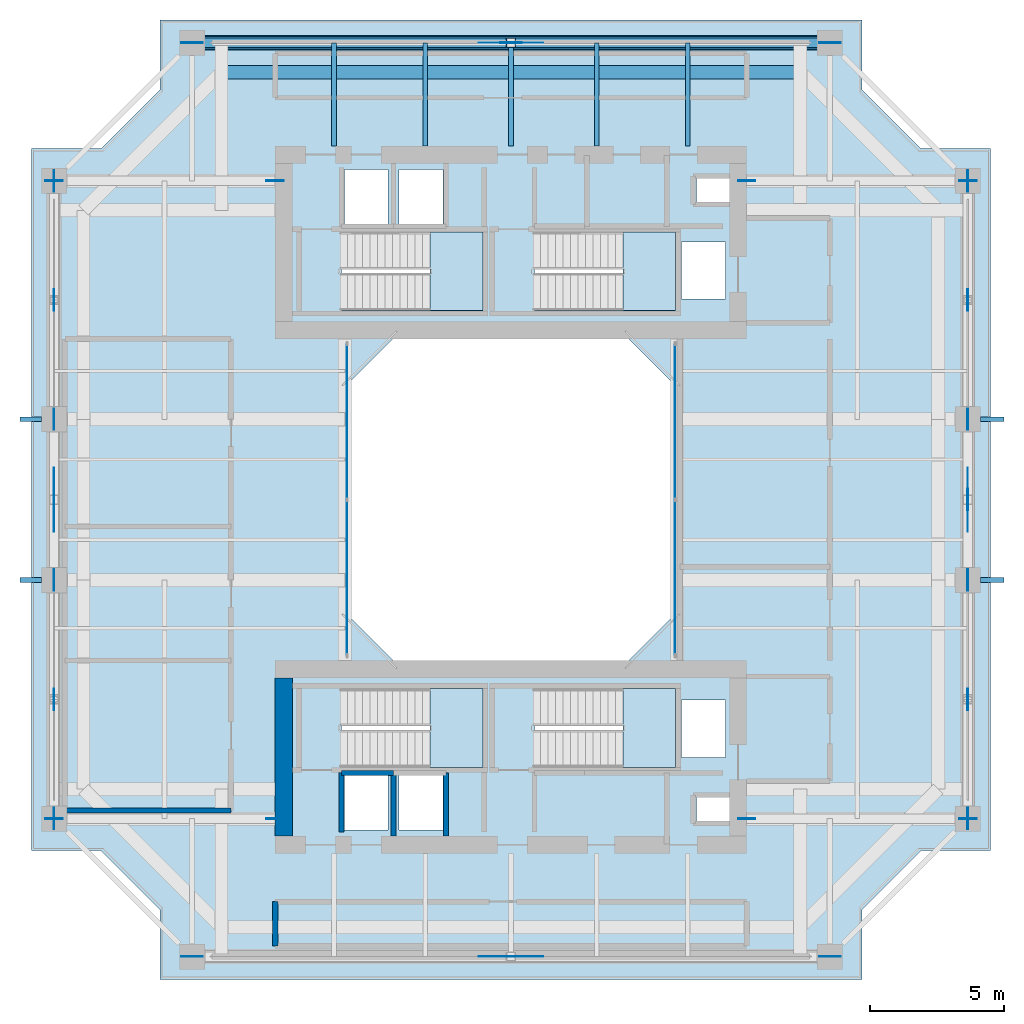
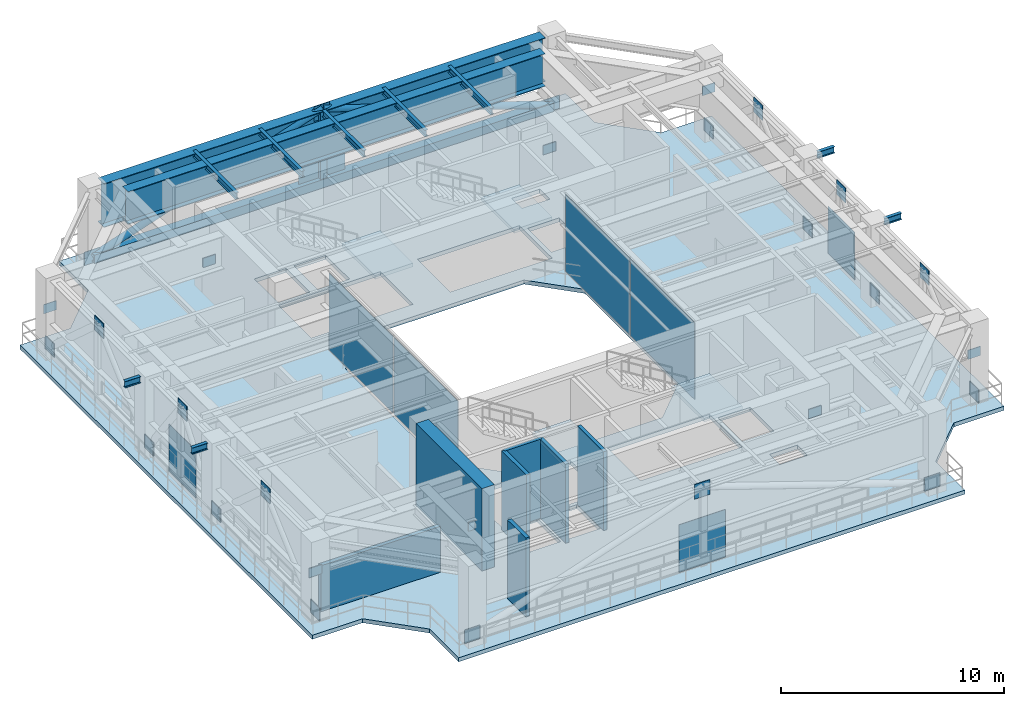
# One storey, part 5 of 11: 36 plates, 11 beams, 7 walls, 5 slabs, 4 members, 6 elements without a shape of their own.
"""IFC4 building model written with IfcOpenShell, lengths in metres."""

from ifc_helpers import new_model, si_unit, direction, frame, frame_2d, origin, origin_2d, place, context, subcontext, project, spatial, polyline, rectangle, hollow_rectangle, hollow_circle, i_section, outline, extrude, source, transform, mapped, material, layer, layer_set, material_profile, profile_set, type_object, element, aggregate, save


model = new_model("IFC4")

# Units and contexts
model_context = context("Model", 3, precision=1e-05, world=origin(), true_north=direction((0.0, 1.0)))
body_context = subcontext(model_context, "Body", "Model", "MODEL_VIEW")
ifc_project = project(units=[si_unit("LENGTHUNIT", "METRE"), si_unit("AREAUNIT", "SQUARE_METRE"), si_unit("VOLUMEUNIT", "CUBIC_METRE"), si_unit("PLANEANGLEUNIT", "RADIAN"), si_unit("MASSUNIT", "GRAM", prefix="KILO"), si_unit("THERMODYNAMICTEMPERATUREUNIT", "KELVIN"), si_unit("POWERUNIT", "WATT")], contexts=[model_context])

# Site, building, storey
site_placement = place(None, origin())
site = spatial("IfcSite", under=ifc_project, at=site_placement, CompositionType="ELEMENT")
building_placement = place(site_placement, origin())
building = spatial("IfcBuilding", under=site, at=building_placement, Name="Qiaomeng Ring Towers", CompositionType="ELEMENT")
storey_placement = place(building_placement, frame((0.0, 0.0, 186.0)))
storey = spatial("IfcBuildingStorey", under=building, at=storey_placement, Name="L54", CompositionType="ELEMENT", Elevation=186.0)

# Member
ifc_material_1 = material(Name="Steel Q390GJC", Category="steel")
ifc_material_profile_1 = material_profile(ifc_material_1, hollow_rectangle(XDim=0.35009765625, YDim=0.35009765625, WallThickness=0.02001953125, at=origin_2d()), Name="SHS 350x350x20")
ifc_profile_set_1 = profile_set([ifc_material_profile_1], Name="Steel Q390GJC")
member_type_1 = type_object("IfcMemberType", Name="STR-MB-POST-350", PredefinedType="POST", material=ifc_profile_set_1)
shared_shape_1 = source(origin(), body_context, "Body", "SweptSolid", [
    extrude(hollow_rectangle(XDim=0.35009765625, YDim=0.35009765625, WallThickness=0.02001953125, at=origin_2d()), origin(), (0.0, 0.0, 1.0), 4.0),
])
member_1_placement = place(storey_placement, frame((19.0, 40.050048828125, 0.320068359375), z_axis=(0.0, 0.0, 1.0), x_axis=(1.0, 0.0, 0.0)))
element("IfcMember", 1, at=member_1_placement, inside=storey, type_object=member_type_1, Name="L54 Belt Truss Post N2-N1", PredefinedType="POST", context=body_context, shape_type="MappedRepresentation", body=[
    mapped(shared_shape_1, transform((0.0, 0.0, 0.0), x_axis=(1.0, 0.0, 0.0), y_axis=(0.0, 1.0, 0.0), z_axis=(0.0, 0.0, 1.0), scale=1.0)),
])

# Beams
ifc_material_2 = material(Name="Steel Q355B", Category="steel")
ifc_material_profile_2 = material_profile(ifc_material_2, i_section(OverallWidth=0.175048828125, OverallDepth=0.35009765625, WebThickness=0.007080078125, FlangeThickness=0.010986328125, FilletRadius=0.013916015625, at=origin_2d()), Name="HN 350x175x7x11")
ifc_profile_set_2 = profile_set([ifc_material_profile_2], Name="Steel Q355B")
beam_type_1 = type_object("IfcBeamType", Name="STR-BM-HN350", PredefinedType="JOIST", material=ifc_profile_set_2)
shared_shape_2 = source(origin(), body_context, "Body", "SweptSolid", [
    extrude(i_section(OverallWidth=0.175048828125, OverallDepth=0.35009765625, WebThickness=0.007080078125, FlangeThickness=0.010986328125, FilletRadius=0.013916015625, at=origin_2d()), origin(), (0.0, 0.0, 1.0), 3.85009765625),
])
for number, where, z_axis, x_axis, name in (
    (2, (12.39990234375, 36.199951171875, 4.14501953125), (0.0, 1.0, 0.0), (-1.0, 0.0, 0.0), "L54 beam STR-JST-L54-T1N-1"),
    (3, (15.800048828125, 36.199951171875, 4.14501953125), (0.0, 1.0, 0.0), (-1.0, 0.0, 0.0), "L54 beam STR-JST-L54-T1N-2"),
    (4, (19.0, 36.199951171875, 4.14501953125), (0.0, 1.0, 0.0), (-1.0, 0.0, 0.0), "L54 beam STR-JST-L54-T1N-3"),
    (5, (22.199951171875, 36.199951171875, 4.14501953125), (0.0, 1.0, 0.0), (-1.0, 0.0, 0.0), "L54 beam STR-JST-L54-T1N-4"),
    (6, (25.60009765625, 36.199951171875, 4.14501953125), (0.0, 1.0, 0.0), (-1.0, 0.0, 0.0), "L54 beam STR-JST-L54-T1N-5"),
):
    element("IfcBeam", number, at=place(storey_placement, frame(where, z_axis=z_axis, x_axis=x_axis)), inside=storey, type_object=beam_type_1, Name=name, PredefinedType="JOIST", context=body_context, shape_type="MappedRepresentation", body=[
        mapped(shared_shape_2, transform((0.0, 0.0, 0.0), x_axis=(1.0, 0.0, 0.0), y_axis=(0.0, 1.0, 0.0), z_axis=(0.0, 0.0, 1.0), scale=1.0)),
    ])

# Members
ifc_material_profile_3 = material_profile(ifc_material_1, hollow_circle(Radius=0.177978515625, WallThickness=0.02001953125, at=origin_2d()), Name="CHS 356x20")
ifc_profile_set_3 = profile_set([ifc_material_profile_3], Name="Steel Q390GJC")
member_type_2 = type_object("IfcMemberType", Name="STR-MB-BR-356", PredefinedType="BRACE", material=ifc_profile_set_3)
shared_shape_3 = source(origin(), body_context, "Body", "SweptSolid", [
    extrude(hollow_circle(Radius=0.177978515625, WallThickness=0.02001953125, at=origin_2d()), origin(), (0.0, 0.0, 1.0), 12.5478515625),
])
for number, where, z_axis, x_axis, name in (
    (7, (30.89990234375, 40.050048828125, 0.320068359375), (-0.948363723431, 0.0, 0.317184879967), (0.0, -1.0, 0.0), "L54 Belt Truss Diagonal N2-M"),
    (8, (7.10009765625, 40.050048828125, 0.320068359375), (0.948363723431, 0.0, 0.317184879967), (0.0, 1.0, 0.0), "L54 Belt Truss Diagonal N1-M"),
):
    element("IfcMember", number, at=place(storey_placement, frame(where, z_axis=z_axis, x_axis=x_axis)), inside=storey, type_object=member_type_2, Name=name, PredefinedType="BRACE", context=body_context, shape_type="MappedRepresentation", body=[
        mapped(shared_shape_3, transform((0.0, 0.0, 0.0), x_axis=(1.0, 0.0, 0.0), y_axis=(0.0, 1.0, 0.0), z_axis=(0.0, 0.0, 1.0), scale=1.0)),
    ])

# Beams
ifc_material_profile_4 = material_profile(ifc_material_1, i_section(OverallWidth=0.550048828125, OverallDepth=2.39990234375, WebThickness=0.02587890625, FlangeThickness=0.035888671875, at=origin_2d()), Name="WH 2400x550x26x36")
ifc_profile_set_4 = profile_set([ifc_material_profile_4], Name="Steel Q390GJC")
beam_type_2 = type_object("IfcBeamType", Name="STR-TG-WH2400", PredefinedType="USERDEFINED", material=ifc_profile_set_4)
shared_shape_4 = source(origin(), body_context, "Body", "SweptSolid", [
    extrude(i_section(OverallWidth=0.550048828125, OverallDepth=2.39990234375, WebThickness=0.02587890625, FlangeThickness=0.035888671875, at=origin_2d()), origin(), (0.0, 0.0, 1.0), 22.85205078125),
])
beam_1_placement = place(storey_placement, frame((7.573974609375, 40.050048828125, 3.1201171875), z_axis=(1.0, 0.0, 0.0), x_axis=(0.0, 1.0, 0.0)))
element("IfcBeam", 9, at=beam_1_placement, inside=storey, type_object=beam_type_2, Name="L54 Transfer Girder STR-TG2-L54-OUT-N", ObjectType="TRANSFER GIRDER", PredefinedType="USERDEFINED", context=body_context, shape_type="MappedRepresentation", body=[
    mapped(shared_shape_4, transform((0.0, 0.0, 0.0), x_axis=(1.0, 0.0, 0.0), y_axis=(0.0, 1.0, 0.0), z_axis=(0.0, 0.0, 1.0), scale=1.0)),
])
ifc_material_profile_5 = material_profile(ifc_material_1, i_section(OverallWidth=0.5, OverallDepth=1.800048828125, WebThickness=0.02392578125, FlangeThickness=0.035888671875, at=origin_2d()), Name="WH 1800x500x24x36")
ifc_profile_set_5 = profile_set([ifc_material_profile_5], Name="Steel Q390GJC")
beam_type_3 = type_object("IfcBeamType", Name="STR-TG-WH1800", PredefinedType="USERDEFINED", material=ifc_profile_set_5)
shared_shape_5 = source(origin(), body_context, "Body", "SweptSolid", [
    extrude(i_section(OverallWidth=0.5, OverallDepth=1.800048828125, WebThickness=0.02392578125, FlangeThickness=0.035888671875, at=origin_2d()), origin(), (0.0, 0.0, 1.0), 21.60009765625),
])
beam_2_placement = place(storey_placement, frame((29.800048828125, 38.949951171875, 3.419921875), z_axis=(-1.0, 0.0, 0.0), x_axis=(0.0, -1.0, 0.0)))
element("IfcBeam", 10, at=beam_2_placement, inside=storey, type_object=beam_type_3, Name="L54 Transfer Girder STR-TG3-L54-N2-N1", ObjectType="TRANSFER GIRDER", PredefinedType="USERDEFINED", context=body_context, shape_type="MappedRepresentation", body=[
    mapped(shared_shape_5, transform((0.0, 0.0, 0.0), x_axis=(1.0, 0.0, 0.0), y_axis=(0.0, 1.0, 0.0), z_axis=(0.0, 0.0, 1.0), scale=1.0)),
])
shared_shape_6 = source(origin(), body_context, "Body", "SweptSolid", [
    extrude(i_section(OverallWidth=0.175048828125, OverallDepth=0.35009765625, WebThickness=0.007080078125, FlangeThickness=0.010986328125, FilletRadius=0.013916015625, at=origin_2d()), origin(), (0.0, 0.0, 1.0), 0.8759765625),
])
for number, where, z_axis, x_axis, name in (
    (11, (36.52392578125, 20.0, 4.14501953125), (1.0, 0.0, 0.0), (0.0, 1.0, 0.0), "L54 beam STR-BALBM-L54-E2"),
    (12, (36.52392578125, 26.0, 4.14501953125), (1.0, 0.0, 0.0), (0.0, 1.0, 0.0), "L54 beam STR-BALBM-L54-E3"),
):
    element("IfcBeam", number, at=place(storey_placement, frame(where, z_axis=z_axis, x_axis=x_axis)), inside=storey, type_object=beam_type_1, Name=name, PredefinedType="JOIST", context=body_context, shape_type="MappedRepresentation", body=[
        mapped(shared_shape_6, transform((0.0, 0.0, 0.0), x_axis=(1.0, 0.0, 0.0), y_axis=(0.0, 1.0, 0.0), z_axis=(0.0, 0.0, 1.0), scale=1.0)),
    ])
shared_shape_7 = source(origin(), body_context, "Body", "SweptSolid", [
    extrude(i_section(OverallWidth=0.175048828125, OverallDepth=0.35009765625, WebThickness=0.007080078125, FlangeThickness=0.010986328125, FilletRadius=0.013916015625, at=origin_2d()), origin(), (0.0, 0.0, 1.0), 0.796142578125),
])
for number, where, z_axis, x_axis, name in (
    (13, (0.679931640625, 20.0, 4.14501953125), (1.0, 0.0, 0.0), (0.0, 1.0, 0.0), "L54 beam STR-BALBM-L54-W2"),
    (14, (0.679931640625, 26.0, 4.14501953125), (1.0, 0.0, 0.0), (0.0, 1.0, 0.0), "L54 beam STR-BALBM-L54-W3"),
):
    element("IfcBeam", number, at=place(storey_placement, frame(where, z_axis=z_axis, x_axis=x_axis)), inside=storey, type_object=beam_type_1, Name=name, PredefinedType="JOIST", context=body_context, shape_type="MappedRepresentation", body=[
        mapped(shared_shape_7, transform((0.0, 0.0, 0.0), x_axis=(1.0, 0.0, 0.0), y_axis=(0.0, 1.0, 0.0), z_axis=(0.0, 0.0, 1.0), scale=1.0)),
    ])

# Member
ifc_material_profile_6 = material_profile(ifc_material_1, hollow_rectangle(XDim=0.449951171875, YDim=0.449951171875, WallThickness=0.028076171875, at=origin_2d()), Name="SHS 450x450x28")
ifc_profile_set_6 = profile_set([ifc_material_profile_6], Name="Steel Q390GJC")
member_type_3 = type_object("IfcMemberType", Name="STR-MB-CHORD-450", PredefinedType="CHORD", material=ifc_profile_set_6)
shared_shape_8 = source(origin(), body_context, "Body", "SweptSolid", [
    extrude(hollow_rectangle(XDim=0.449951171875, YDim=0.449951171875, WallThickness=0.028076171875, at=origin_2d()), origin(), (0.0, 0.0, 1.0), 23.7998046875),
])
member_2_placement = place(storey_placement, frame((30.89990234375, 40.050048828125, 0.320068359375), z_axis=(-1.0, 0.0, 0.0), x_axis=(0.0, -1.0, 0.0)))
element("IfcMember", 15, at=member_2_placement, inside=storey, type_object=member_type_3, Name="L54 Belt Truss Bottom Chord N2-N1", PredefinedType="CHORD", context=body_context, shape_type="MappedRepresentation", body=[
    mapped(shared_shape_8, transform((0.0, 0.0, 0.0), x_axis=(1.0, 0.0, 0.0), y_axis=(0.0, 1.0, 0.0), z_axis=(0.0, 0.0, 1.0), scale=1.0)),
])

# Slab
ifc_material_3 = material(Name="Concrete C40", Category="concrete")
ifc_layer_1 = layer(ifc_material_3, 0.219970703125, Name="Concrete C40")
ifc_layer_set_1 = layer_set([ifc_layer_1], Name="Concrete C40")
slab_type_1 = type_object("IfcSlabType", Name="STR-SL-220", PredefinedType="FLOOR", material=ifc_layer_set_1)
slab_1_placement = place(storey_placement, frame((0.0, 0.0, -0.219970703125)))
element("IfcSlab", 16, at=slab_1_placement, inside=storey, type_object=slab_type_1, Name="L54 Tower 1 Annular Floor Slab", PredefinedType="FLOOR", context=body_context, shape_type="SweptSolid", body=[
    extrude(outline(polyline([(5.89990234375, 5.10009765625), (32.10009765625, 5.10009765625), (32.10009765625, 7.699951171875), (34.300048828125, 9.89990234375), (36.89990234375, 9.89990234375), (36.89990234375, 36.10009765625), (34.300048828125, 36.10009765625), (32.10009765625, 38.300048828125), (32.10009765625, 40.89990234375), (5.89990234375, 40.89990234375), (5.89990234375, 38.300048828125), (3.699951171875, 36.10009765625), (1.10009765625, 36.10009765625), (1.10009765625, 9.89990234375), (3.699951171875, 9.89990234375), (5.89990234375, 7.699951171875), (5.89990234375, 5.10009765625)]), holes=[polyline([(12.780029296875, 10.679931640625), (12.780029296875, 12.820068359375), (14.419921875, 12.820068359375), (14.419921875, 10.679931640625), (12.780029296875, 10.679931640625)]), polyline([(14.830078125, 12.820068359375), (16.469970703125, 12.820068359375), (16.469970703125, 10.679931640625), (14.830078125, 10.679931640625), (14.830078125, 12.820068359375)]), polyline([(12.679931640625, 15.949951171875), (17.949951171875, 15.949951171875), (17.949951171875, 13.010009765625), (12.679931640625, 13.010009765625), (12.679931640625, 15.949951171875)]), polyline([(23.199951171875, 29.199951171875), (25.199951171875, 27.199951171875), (25.199951171875, 18.800048828125), (23.199951171875, 16.800048828125), (14.800048828125, 16.800048828125), (12.800048828125, 18.800048828125), (12.800048828125, 27.199951171875), (14.800048828125, 29.199951171875), (23.199951171875, 29.199951171875)]), polyline([(12.679931640625, 32.989990234375), (17.949951171875, 32.989990234375), (17.949951171875, 30.050048828125), (12.679931640625, 30.050048828125), (12.679931640625, 32.989990234375)]), polyline([(12.780029296875, 35.320068359375), (14.419921875, 35.320068359375), (14.419921875, 33.179931640625), (12.780029296875, 33.179931640625), (12.780029296875, 35.320068359375)]), polyline([(14.830078125, 33.179931640625), (14.830078125, 35.320068359375), (16.469970703125, 35.320068359375), (16.469970703125, 33.179931640625), (14.830078125, 33.179931640625)]), polyline([(25.919921875, 11.89990234375), (27.360107421875, 11.89990234375), (27.360107421875, 11.0), (25.919921875, 11.0), (25.919921875, 11.89990234375)]), polyline([(25.360107421875, 15.52001953125), (27.0, 15.52001953125), (27.0, 13.3798828125), (25.360107421875, 13.3798828125), (25.360107421875, 15.52001953125)]), polyline([(19.8798828125, 15.949951171875), (25.14990234375, 15.949951171875), (25.14990234375, 13.010009765625), (19.8798828125, 13.010009765625), (19.8798828125, 15.949951171875)]), polyline([(19.8798828125, 32.989990234375), (25.14990234375, 32.989990234375), (25.14990234375, 30.050048828125), (19.8798828125, 30.050048828125), (19.8798828125, 32.989990234375)]), polyline([(25.360107421875, 32.6201171875), (27.0, 32.6201171875), (27.0, 30.47998046875), (25.360107421875, 30.47998046875), (25.360107421875, 32.6201171875)]), polyline([(25.919921875, 35.0), (27.360107421875, 35.0), (27.360107421875, 34.10009765625), (25.919921875, 34.10009765625), (25.919921875, 35.0)])]), origin(), (0.0, 0.0, 1.0), 0.219970703125),
])

# Stair, slab
ifc_material_4 = material(Name="Precast concrete C40", Category="concrete")
stair_type = type_object("IfcStairType", Name="ARC-ST-450", PredefinedType="HALF_TURN_STAIR", material=ifc_material_4)
stair_1_placement = place(storey_placement, origin())
stair_1 = element("IfcStair", 17, at=stair_1_placement, inside=storey, type_object=stair_type, Name="L54 Tower 1 North Stair 1", PredefinedType="HALF_TURN_STAIR")
ifc_layer_2 = layer(ifc_material_3, 0.199951171875, Name="Concrete C40")
ifc_layer_set_2 = layer_set([ifc_layer_2], Name="Concrete C40")
slab_type_2 = type_object("IfcSlabType", Name="STR-SL-LANDING", PredefinedType="LANDING", material=ifc_layer_set_2)
slab_2_placement = place(storey_placement, frame((0.0, 0.0, 2.050048828125)))
slab_2 = element("IfcSlab", 18, at=slab_2_placement, type_object=slab_type_2, Name="ST1 landing 1", PredefinedType="LANDING", context=body_context, shape_type="SweptSolid", body=[
    extrude(outline(polyline([(15.97998046875, 30.050048828125), (17.949951171875, 30.050048828125), (17.949951171875, 32.989990234375), (15.97998046875, 32.989990234375), (15.97998046875, 30.050048828125)])), origin(), (0.0, 0.0, 1.0), 0.199951171875),
])
aggregate(stair_1, [slab_2])

stair_2_placement = place(storey_placement, origin())
stair_2 = element("IfcStair", 19, at=stair_2_placement, inside=storey, type_object=stair_type, Name="L54 Tower 1 North Stair 2", PredefinedType="HALF_TURN_STAIR")
slab_3_placement = place(storey_placement, frame((0.0, 0.0, 2.050048828125)))
slab_3 = element("IfcSlab", 20, at=slab_3_placement, type_object=slab_type_2, Name="ST2 landing 1", PredefinedType="LANDING", context=body_context, shape_type="SweptSolid", body=[
    extrude(outline(polyline([(23.179931640625, 30.050048828125), (25.14990234375, 30.050048828125), (25.14990234375, 32.989990234375), (23.179931640625, 32.989990234375), (23.179931640625, 30.050048828125)])), origin(), (0.0, 0.0, 1.0), 0.199951171875),
])
aggregate(stair_2, [slab_3])

stair_3_placement = place(storey_placement, origin())
stair_3 = element("IfcStair", 21, at=stair_3_placement, inside=storey, type_object=stair_type, Name="L54 Tower 1 South Stair 3", PredefinedType="HALF_TURN_STAIR")
slab_4_placement = place(storey_placement, frame((0.0, 0.0, 2.050048828125)))
slab_4 = element("IfcSlab", 22, at=slab_4_placement, type_object=slab_type_2, Name="ST3 landing 1", PredefinedType="LANDING", context=body_context, shape_type="SweptSolid", body=[
    extrude(outline(polyline([(15.97998046875, 13.010009765625), (17.949951171875, 13.010009765625), (17.949951171875, 15.949951171875), (15.97998046875, 15.949951171875), (15.97998046875, 13.010009765625)])), origin(), (0.0, 0.0, 1.0), 0.199951171875),
])
aggregate(stair_3, [slab_4])

stair_4_placement = place(storey_placement, origin())
stair_4 = element("IfcStair", 23, at=stair_4_placement, inside=storey, type_object=stair_type, Name="L54 Tower 1 South Stair 4", PredefinedType="HALF_TURN_STAIR")
slab_5_placement = place(storey_placement, frame((0.0, 0.0, 2.050048828125)))
slab_5 = element("IfcSlab", 24, at=slab_5_placement, type_object=slab_type_2, Name="ST4 landing 1", PredefinedType="LANDING", context=body_context, shape_type="SweptSolid", body=[
    extrude(outline(polyline([(23.179931640625, 13.010009765625), (25.14990234375, 13.010009765625), (25.14990234375, 15.949951171875), (23.179931640625, 15.949951171875), (23.179931640625, 13.010009765625)])), origin(), (0.0, 0.0, 1.0), 0.199951171875),
])
aggregate(stair_4, [slab_5])

# Plates
ifc_layer_3 = layer(ifc_material_1, 0.031982421875, Name="Steel Q390GJC")
ifc_layer_set_3 = layer_set([ifc_layer_3], Name="Steel Q390GJC")
plate_type_1 = type_object("IfcPlateType", Name="STR-PL-GUSSET", PredefinedType="USERDEFINED", material=ifc_layer_set_3)
shared_shape_9 = source(origin(), body_context, "Body", "SweptSolid", [
    extrude(rectangle(XDim=0.800048828125, YDim=0.031982421875, at=origin_2d()), origin(), (0.0, 0.0, 1.0), 0.800048828125),
])
for number, where, z_axis, x_axis, name in (
    (25, (19.0, 5.949951171875, 3.72021484375), (0.0, 0.0, 1.0), (1.0, 0.0, 0.0), "L54 Belt Truss Node Gusset Plate 1-APX"),
    (26, (7.10009765625, 5.949951171875, -0.080078125), (0.0, 0.0, 1.0), (1.0, 0.0, 0.0), "L54 Belt Truss Node Gusset Plate 1-N1"),
    (27, (30.89990234375, 5.949951171875, -0.080078125), (0.0, 0.0, 1.0), (1.0, 0.0, 0.0), "L54 Belt Truss Node Gusset Plate 1-N2"),
    (28, (36.050048828125, 15.550048828125, 3.72021484375), (0.0, 0.0, 1.0), (0.0, 1.0, 0.0), "L54 Belt Truss Node Gusset Plate 2-APX"),
    (29, (36.050048828125, 11.10009765625, -0.080078125), (0.0, 0.0, 1.0), (0.0, 1.0, 0.0), "L54 Belt Truss Node Gusset Plate 2-N1"),
    (30, (36.050048828125, 20.0, -0.080078125), (0.0, 0.0, 1.0), (0.0, 1.0, 0.0), "L54 Belt Truss Node Gusset Plate 2-N2"),
    (31, (36.050048828125, 23.0, 3.72021484375), (0.0, 0.0, 1.0), (0.0, 1.0, 0.0), "L54 Belt Truss Node Gusset Plate 3-APX"),
    (32, (36.050048828125, 26.0, -0.080078125), (0.0, 0.0, 1.0), (0.0, 1.0, 0.0), "L54 Belt Truss Node Gusset Plate 3-N2"),
    (33, (36.050048828125, 30.449951171875, 3.72021484375), (0.0, 0.0, 1.0), (0.0, 1.0, 0.0), "L54 Belt Truss Node Gusset Plate 4-APX"),
    (34, (36.050048828125, 34.89990234375, -0.080078125), (0.0, 0.0, 1.0), (0.0, 1.0, 0.0), "L54 Belt Truss Node Gusset Plate 4-N2"),
    (35, (19.0, 40.050048828125, 3.72021484375), (0.0, 0.0, 1.0), (-1.0, 0.0, 0.0), "L54 Belt Truss Node Gusset Plate 5-APX"),
    (36, (30.89990234375, 40.050048828125, -0.080078125), (0.0, 0.0, 1.0), (-1.0, 0.0, 0.0), "L54 Belt Truss Node Gusset Plate 5-N1"),
    (37, (7.10009765625, 40.050048828125, -0.080078125), (0.0, 0.0, 1.0), (-1.0, 0.0, 0.0), "L54 Belt Truss Node Gusset Plate 5-N2"),
    (38, (1.949951171875, 30.449951171875, 3.72021484375), (0.0, 0.0, 1.0), (0.0, -1.0, 0.0), "L54 Belt Truss Node Gusset Plate 6-APX"),
    (39, (1.949951171875, 34.89990234375, -0.080078125), (0.0, 0.0, 1.0), (0.0, -1.0, 0.0), "L54 Belt Truss Node Gusset Plate 6-N1"),
    (40, (1.949951171875, 26.0, -0.080078125), (0.0, 0.0, 1.0), (0.0, -1.0, 0.0), "L54 Belt Truss Node Gusset Plate 6-N2"),
    (41, (1.949951171875, 23.0, 3.72021484375), (0.0, 0.0, 1.0), (0.0, -1.0, 0.0), "L54 Belt Truss Node Gusset Plate 7-APX"),
    (42, (1.949951171875, 20.0, -0.080078125), (0.0, 0.0, 1.0), (0.0, -1.0, 0.0), "L54 Belt Truss Node Gusset Plate 7-N2"),
    (43, (1.949951171875, 15.550048828125, 3.72021484375), (0.0, 0.0, 1.0), (0.0, -1.0, 0.0), "L54 Belt Truss Node Gusset Plate 8-APX"),
    (44, (1.949951171875, 11.10009765625, -0.080078125), (0.0, 0.0, 1.0), (0.0, -1.0, 0.0), "L54 Belt Truss Node Gusset Plate 8-N2"),
):
    element("IfcPlate", number, at=place(storey_placement, frame(where, z_axis=z_axis, x_axis=x_axis)), inside=storey, type_object=plate_type_1, Name=name, ObjectType="GUSSET PLATE", PredefinedType="USERDEFINED", context=body_context, shape_type="MappedRepresentation", body=[
        mapped(shared_shape_9, transform((0.0, 0.0, 0.0), x_axis=(1.0, 0.0, 0.0), y_axis=(0.0, 1.0, 0.0), z_axis=(0.0, 0.0, 1.0), scale=1.0)),
    ])
shared_shape_10 = source(origin(), body_context, "Body", "SweptSolid", [
    extrude(rectangle(XDim=0.64990234375, YDim=0.035888671875, at=origin_2d()), origin(), (0.0, 0.0, 1.0), 0.5),
])
for number, where, z_axis, x_axis, name in (
    (45, (10.199951171875, 34.89990234375, 1.89990234375), (0.0, 0.0, 1.0), (1.0, 0.0, 0.0), "L54 Outrigger Core Anchorage Gusset Plate W4"),
    (46, (1.949951171875, 34.89990234375, 2.25), (0.0, 0.0, 1.0), (1.0, 0.0, 0.0), "L54 Outrigger Column Node Gusset Plate W4"),
    (47, (10.199951171875, 11.10009765625, 1.89990234375), (0.0, 0.0, 1.0), (1.0, 0.0, 0.0), "L54 Outrigger Core Anchorage Gusset Plate W1"),
    (48, (1.949951171875, 11.10009765625, 2.25), (0.0, 0.0, 1.0), (1.0, 0.0, 0.0), "L54 Outrigger Column Node Gusset Plate W1"),
    (49, (27.800048828125, 34.89990234375, 1.89990234375), (0.0, 0.0, 1.0), (1.0, 0.0, 0.0), "L54 Outrigger Core Anchorage Gusset Plate E4"),
    (50, (36.050048828125, 34.89990234375, 2.25), (0.0, 0.0, 1.0), (1.0, 0.0, 0.0), "L54 Outrigger Column Node Gusset Plate E4"),
    (51, (27.800048828125, 11.10009765625, 1.89990234375), (0.0, 0.0, 1.0), (1.0, 0.0, 0.0), "L54 Outrigger Core Anchorage Gusset Plate E1"),
    (52, (36.050048828125, 11.10009765625, 2.25), (0.0, 0.0, 1.0), (1.0, 0.0, 0.0), "L54 Outrigger Column Node Gusset Plate E1"),
):
    element("IfcPlate", number, at=place(storey_placement, frame(where, z_axis=z_axis, x_axis=x_axis)), inside=storey, type_object=plate_type_1, Name=name, ObjectType="GUSSET PLATE", PredefinedType="USERDEFINED", context=body_context, shape_type="MappedRepresentation", body=[
        mapped(shared_shape_10, transform((0.0, 0.0, 0.0), x_axis=(1.0, 0.0, 0.0), y_axis=(0.0, 1.0, 0.0), z_axis=(0.0, 0.0, 1.0), scale=1.0)),
    ])

# Curtain wall, plates
ifc_material_5 = material(Name="Fluorocarbon dark-grey aluminium", Category="aluminium")
ifc_layer_4 = layer(ifc_material_5, 0.139892578125, Name="Fluorocarbon dark-grey aluminium")
ifc_layer_set_4 = layer_set([ifc_layer_4], Name="Fluorocarbon dark-grey aluminium")
curtain_wall_type = type_object("IfcCurtainWallType", Name="ARC-CW-4", PredefinedType="NOTDEFINED", material=ifc_layer_set_4)
curtain_wall_1_placement = place(storey_placement, origin())
curtain_wall_1 = element("IfcCurtainWall", 53, at=curtain_wall_1_placement, inside=storey, type_object=curtain_wall_type, Name="L54 Curtain Wall CW4", PredefinedType="NOTDEFINED")
ifc_material_6 = material(Name="Low-E dark-grey laminated double glazing", Category="glass")
ifc_layer_5 = layer(ifc_material_6, 0.028076171875, Name="Low-E dark-grey laminated double glazing")
ifc_layer_set_5 = layer_set([ifc_layer_5], Name="Low-E dark-grey laminated double glazing")
plate_type_2 = type_object("IfcPlateType", Name="ARC-CWP-DARK", PredefinedType="CURTAIN_PANEL", material=ifc_layer_set_5)
shared_shape_11 = source(origin(), body_context, "Body", "SweptSolid", [
    extrude(rectangle(XDim=5.75244140625, YDim=0.028076171875, at=origin_2d()), origin(), (0.0, 0.0, 1.0), 4.18994140625),
])
plate_1_placement = place(storey_placement, frame((12.8798828125, 20.09130859375, 0.06494140625), z_axis=(0.0, 0.0, 1.0), x_axis=(0.0, 1.0, 0.0)))
plate_1 = element("IfcPlate", 54, at=plate_1_placement, type_object=plate_type_2, Name="CW4 panel 1.1", PredefinedType="CURTAIN_PANEL", context=body_context, shape_type="MappedRepresentation", body=[
    mapped(shared_shape_11, transform((0.0, 0.0, 0.0), x_axis=(1.0, 0.0, 0.0), y_axis=(0.0, 1.0, 0.0), z_axis=(0.0, 0.0, 1.0), scale=1.0)),
])
plate_2_placement = place(storey_placement, frame((12.8798828125, 25.90869140625, 0.06494140625), z_axis=(0.0, 0.0, 1.0), x_axis=(0.0, 1.0, 0.0)))
plate_2 = element("IfcPlate", 55, at=plate_2_placement, type_object=plate_type_2, Name="CW4 panel 2.1", PredefinedType="CURTAIN_PANEL", context=body_context, shape_type="MappedRepresentation", body=[
    mapped(shared_shape_11, transform((0.0, 0.0, 0.0), x_axis=(1.0, 0.0, 0.0), y_axis=(0.0, 1.0, 0.0), z_axis=(0.0, 0.0, 1.0), scale=1.0)),
])
aggregate(curtain_wall_1, [plate_1, plate_2])

curtain_wall_2_placement = place(storey_placement, origin())
curtain_wall_2 = element("IfcCurtainWall", 56, at=curtain_wall_2_placement, inside=storey, type_object=curtain_wall_type, Name="L54 Curtain Wall CW4", PredefinedType="NOTDEFINED")
plate_3_placement = place(storey_placement, frame((25.1201171875, 20.09130859375, 0.06494140625), z_axis=(0.0, 0.0, 1.0), x_axis=(0.0, 1.0, 0.0)))
plate_3 = element("IfcPlate", 57, at=plate_3_placement, type_object=plate_type_2, Name="CW4 panel 1.1", PredefinedType="CURTAIN_PANEL", context=body_context, shape_type="MappedRepresentation", body=[
    mapped(shared_shape_11, transform((0.0, 0.0, 0.0), x_axis=(1.0, 0.0, 0.0), y_axis=(0.0, 1.0, 0.0), z_axis=(0.0, 0.0, 1.0), scale=1.0)),
])
plate_4_placement = place(storey_placement, frame((25.1201171875, 25.90869140625, 0.06494140625), z_axis=(0.0, 0.0, 1.0), x_axis=(0.0, 1.0, 0.0)))
plate_4 = element("IfcPlate", 58, at=plate_4_placement, type_object=plate_type_2, Name="CW4 panel 2.1", PredefinedType="CURTAIN_PANEL", context=body_context, shape_type="MappedRepresentation", body=[
    mapped(shared_shape_11, transform((0.0, 0.0, 0.0), x_axis=(1.0, 0.0, 0.0), y_axis=(0.0, 1.0, 0.0), z_axis=(0.0, 0.0, 1.0), scale=1.0)),
])
aggregate(curtain_wall_2, [plate_3, plate_4])

# Plates
ifc_material_7 = material(Name="Stainless steel 316", Category="steel")
ifc_layer_6 = layer(ifc_material_7, 0.011962890625, Name="Stainless steel 316")
ifc_layer_set_6 = layer_set([ifc_layer_6], Name="Stainless steel 316")
plate_type_3 = type_object("IfcPlateType", Name="ARC-PL-SCREEN", PredefinedType="SHEET", material=ifc_layer_set_6)
shared_shape_12 = source(origin(), body_context, "Body", "SweptSolid", [
    extrude(rectangle(XDim=2.39990234375, YDim=0.011962890625, at=origin_2d()), origin(), (0.0, 0.0, 1.0), 2.60009765625),
])
for number, where, z_axis, x_axis, name in (
    (59, (19.0, 5.949951171875, 0.0), (0.0, 0.0, 1.0), (1.0, 0.0, 0.0), "L54 Perforated Refuge Wind Screen S"),
    (60, (19.0, 40.050048828125, 0.0), (0.0, 0.0, 1.0), (-1.0, 0.0, 0.0), "L54 Perforated Refuge Wind Screen N"),
    (61, (1.949951171875, 23.0, 0.0), (0.0, 0.0, 1.0), (0.0, -1.0, 0.0), "L54 Perforated Refuge Wind Screen W"),
    (62, (36.050048828125, 23.0, 0.0), (0.0, 0.0, 1.0), (0.0, 1.0, 0.0), "L54 Perforated Refuge Wind Screen E"),
):
    element("IfcPlate", number, at=place(storey_placement, frame(where, z_axis=z_axis, x_axis=x_axis)), inside=storey, type_object=plate_type_3, Name=name, PredefinedType="SHEET", context=body_context, shape_type="MappedRepresentation", body=[
        mapped(shared_shape_12, transform((0.0, 0.0, 0.0), x_axis=(1.0, 0.0, 0.0), y_axis=(0.0, 1.0, 0.0), z_axis=(0.0, 0.0, 1.0), scale=1.0)),
    ])

# Walls
ifc_material_8 = material(Name="Autoclaved aerated concrete block", Category="concrete")
ifc_layer_7 = layer(ifc_material_8, 0.199951171875, Name="Autoclaved aerated concrete block")
ifc_layer_set_7 = layer_set([ifc_layer_7], Name="Autoclaved aerated concrete block")
wall_type_1 = type_object("IfcWallType", Name="ARC-WL-PW1", PredefinedType="PARTITIONING", material=ifc_layer_set_7)
wall_1_placement = place(storey_placement, frame((12.679931640625, 10.60009765625, 0.0), z_axis=(0.0, 0.0, 1.0), x_axis=(0.0, 1.0, 0.0)))
element("IfcWall", 63, at=wall_1_placement, inside=storey, type_object=wall_type_1, Name="L54 Interior Wall PW1", PredefinedType="PARTITIONING", context=body_context, shape_type="SweptSolid", body=[
    extrude(rectangle(XDim=2.2099609375, YDim=0.199951171875, at=frame_2d((1.10498046875, 0.0))), origin(), (0.0, 0.0, 1.0), 4.320068359375),
])
wall_2_placement = place(storey_placement, frame((2.35009765625, 11.39990234375, 0.0), z_axis=(0.0, 0.0, 1.0), x_axis=(1.0, 0.0, 0.0)))
element("IfcWall", 64, at=wall_2_placement, inside=storey, type_object=wall_type_1, Name="L54 Interior Wall PW1", PredefinedType="PARTITIONING", context=body_context, shape_type="SweptSolid", body=[
    extrude(rectangle(XDim=6.199951171875, YDim=0.199951171875, at=frame_2d((3.10009765625, 0.0))), origin(), (0.0, 0.0, 1.0), 2.514892578125),
])
wall_3_placement = place(storey_placement, frame((10.199951171875, 6.35009765625, 0.0), z_axis=(0.0, 0.0, 1.0), x_axis=(0.0, 1.0, 0.0)))
element("IfcWall", 65, at=wall_3_placement, inside=storey, type_object=wall_type_1, Name="L54 Interior Wall PW1", PredefinedType="PARTITIONING", context=body_context, shape_type="SweptSolid", body=[
    extrude(rectangle(XDim=1.64990234375, YDim=0.199951171875, at=frame_2d((0.824951171875, 0.0))), origin(), (0.0, 0.0, 1.0), 4.320068359375),
])
ifc_layer_8 = layer(ifc_material_3, 0.199951171875, Name="Concrete C40")
ifc_layer_set_8 = layer_set([ifc_layer_8], Name="Concrete C40")
wall_type_2 = type_object("IfcWallType", Name="STR-WL-STSHAFT", PredefinedType="SHEAR", material=ifc_layer_set_8)
wall_4_placement = place(storey_placement, frame((12.679931640625, 12.800048828125, 0.0), z_axis=(0.0, 0.0, 1.0), x_axis=(1.0, 0.0, 0.0)))
element("IfcWall", 66, at=wall_4_placement, inside=storey, type_object=wall_type_2, Name="L54 Lift LP6 Shaft Back Wall", PredefinedType="SHEAR", context=body_context, shape_type="SweptSolid", body=[
    extrude(rectangle(XDim=1.940185546875, YDim=0.179931640625, at=frame_2d((0.97021484375, 0.0))), origin(), (0.0, 0.0, 1.0), 4.320068359375),
])
for number, where, z_axis, x_axis, name in (
    (67, (14.6201171875, 10.449951171875, 0.0), (0.0, 0.0, 1.0), (0.0, 1.0, 0.0), "L54 Lift LP6-LP4 Shaft Divider Wall"),
    (68, (16.580078125, 10.449951171875, 0.0), (0.0, 0.0, 1.0), (0.0, 1.0, 0.0), "L54 Lift LP4 East Shaft Wall"),
):
    element("IfcWall", number, at=place(storey_placement, frame(where, z_axis=z_axis, x_axis=x_axis)), inside=storey, type_object=wall_type_2, Name=name, PredefinedType="SHEAR", context=body_context, shape_type="SweptSolid", body=[
        extrude(rectangle(XDim=2.35009765625, YDim=0.179931640625, at=frame_2d((1.175048828125, 0.0))), origin(), (0.0, 0.0, 1.0), 4.320068359375),
    ])
ifc_material_9 = material(Name="Concrete C50", Category="concrete")
ifc_layer_9 = layer(ifc_material_9, 0.64990234375, Name="Concrete C50")
ifc_layer_set_9 = layer_set([ifc_layer_9], Name="Concrete C50")
wall_type_3 = type_object("IfcWallType", Name="STR-WL-SW2B", PredefinedType="SHEAR", material=ifc_layer_set_9)
wall_5_placement = place(storey_placement, frame((10.52490234375, 10.449951171875, 0.0), z_axis=(0.0, 0.0, 1.0), x_axis=(0.0, 1.0, 0.0)))
element("IfcWall", 69, at=wall_5_placement, inside=storey, type_object=wall_type_3, Name="L54 T1SC west core shear wall", PredefinedType="SHEAR", context=body_context, shape_type="SweptSolid", body=[
    extrude(rectangle(XDim=5.900146484375, YDim=0.64990234375, at=frame_2d((2.9501953125, 0.0))), origin(), (0.0, 0.0, 1.0), 4.5),
])

save(model, "model.ifc")
